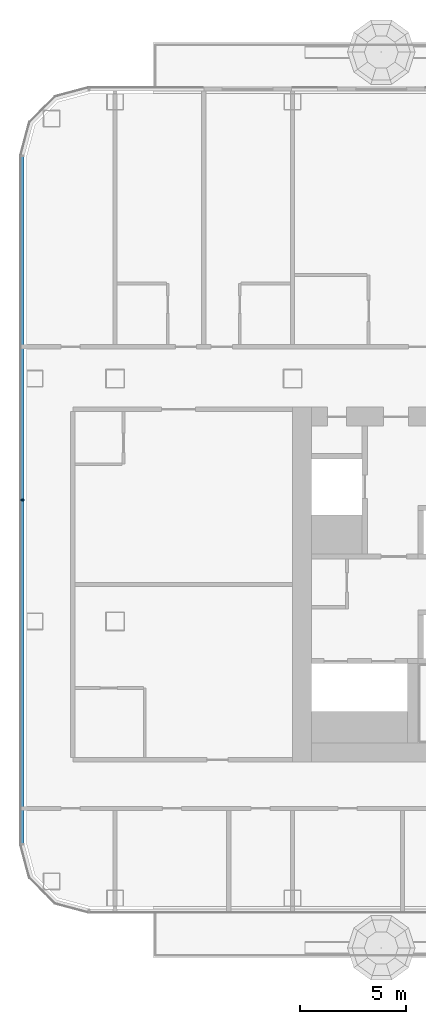
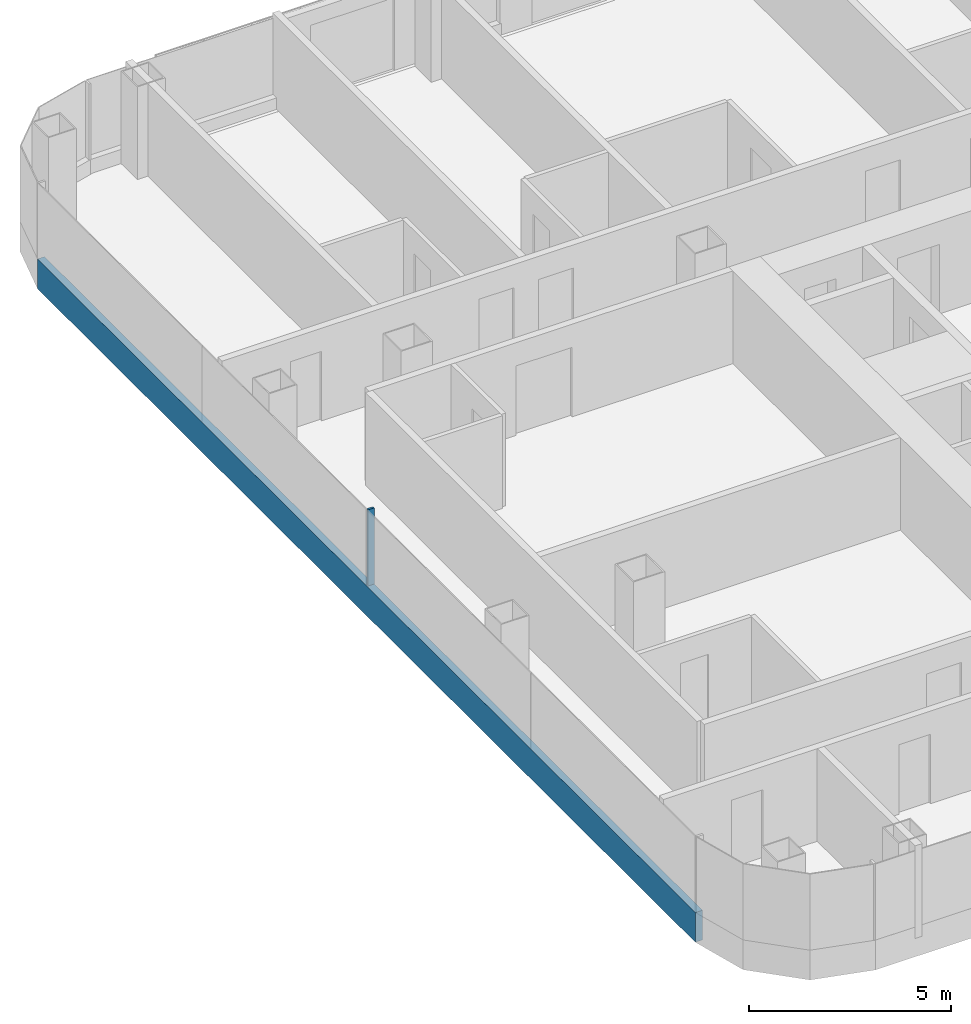
# One storey, part 3 of 33: 2 members, 1 element without a shape of its own.
"""IFC4 building model written with IfcOpenShell, lengths in metres."""

from ifc_helpers import new_model, si_unit, direction, frame, origin, origin_2d, place, context, subcontext, project, spatial, rectangle, extrude, material, layer, layer_set, material_profile, profile_set, type_object, element, aggregate, save


model = new_model("IFC4")

# Units and contexts
model_context = context("Model", 3, precision=1e-05, world=origin(), true_north=direction((0.0, 1.0)))
body_context = subcontext(model_context, "Body", "Model", "MODEL_VIEW")
ifc_project = project(units=[si_unit("LENGTHUNIT", "METRE"), si_unit("AREAUNIT", "SQUARE_METRE"), si_unit("VOLUMEUNIT", "CUBIC_METRE"), si_unit("PLANEANGLEUNIT", "RADIAN"), si_unit("MASSUNIT", "GRAM", prefix="KILO")], contexts=[model_context])

# Site, building, storey
site_placement = place(None, origin())
site = spatial("IfcSite", under=ifc_project, at=site_placement, CompositionType="ELEMENT")
building_placement = place(site_placement, origin())
building = spatial("IfcBuilding", under=site, at=building_placement, Name="Hakoniwa Tower and Hamabe Station Hall", CompositionType="ELEMENT")
storey_placement = place(building_placement, frame((0.0, 0.0, 81.800048828125)))
storey = spatial("IfcBuildingStorey", under=building, at=storey_placement, Name="L22", CompositionType="ELEMENT", Elevation=81.800048828125)

# Curtain wall, members
ifc_material_1 = material(Name="Dark low-e laminated glass", Category="glass")
ifc_layer = layer(ifc_material_1, 0.199951171875)
ifc_layer_set = layer_set([ifc_layer], Name="CW-1 UNITISED GUEST")
curtain_wall_type = type_object("IfcCurtainWallType", Name="CW-1 UNITISED GUEST", PredefinedType="NOTDEFINED", material=ifc_layer_set)
curtain_wall_placement = place(storey_placement, origin())
curtain_wall = element("IfcCurtainWall", 1, at=curtain_wall_placement, inside=storey, type_object=curtain_wall_type, Name="CW-1 curtain wall", PredefinedType="NOTDEFINED")
ifc_material_2 = material(Name="Aluminium 6063-T5 black anodised", Category="aluminium")
ifc_material_profile_1 = material_profile(ifc_material_2, rectangle(XDim=0.199951171875, YDim=0.89990234375, at=origin_2d()), Name="CW SLAB-EDGE BAND 900X200")
ifc_profile_set_1 = profile_set([ifc_material_profile_1], Name="Aluminium 6063-T5 black anodised")
member_type_1 = type_object("IfcMemberType", Name="CW SLAB-EDGE BAND 900X200", PredefinedType="USERDEFINED", material=ifc_profile_set_1)
member_1_placement = place(storey_placement, frame((-46.39990234375, 20.28955078125, -0.10009765625), z_axis=(0.0, -1.0, 0.0), x_axis=(1.0, 0.0, 0.0)))
member_1 = element("IfcMember", 2, at=member_1_placement, type_object=member_type_1, Name="CW-1 transom", ObjectType="TRANSOM", PredefinedType="USERDEFINED", context=body_context, shape_type="SweptSolid", body=[
    extrude(rectangle(XDim=0.199951171875, YDim=0.89990234375, at=origin_2d()), origin(), (0.0, 0.0, 1.0), 32.5791015625),
])
ifc_material_3 = material(Name="Aluminium 6063-T5 black anodised", Category="aluminium")
ifc_material_profile_2 = material_profile(ifc_material_3, rectangle(XDim=0.06005859375, YDim=0.179931640625, at=origin_2d()), Name="CW-1 MULLION 60X180")
ifc_profile_set_2 = profile_set([ifc_material_profile_2], Name="Aluminium 6063-T5 black anodised")
member_type_2 = type_object("IfcMemberType", Name="CW-1 MULLION 60X180", PredefinedType="MULLION", material=ifc_profile_set_2)
member_2_placement = place(storey_placement, frame((-46.382080078125, 4.0, 0.349853515625), z_axis=(0.0, 0.0, 1.0), x_axis=(0.0, -1.0, 0.0)))
member_2 = element("IfcMember", 3, at=member_2_placement, type_object=member_type_2, Name="CW-1 mullion", PredefinedType="MULLION", context=body_context, shape_type="SweptSolid", body=[
    extrude(rectangle(XDim=0.06005859375, YDim=0.179931640625, at=origin_2d()), origin(), (0.0, 0.0, 1.0), 2.300048828125),
])
aggregate(curtain_wall, [member_2, member_1])

save(model, "model.ifc")
